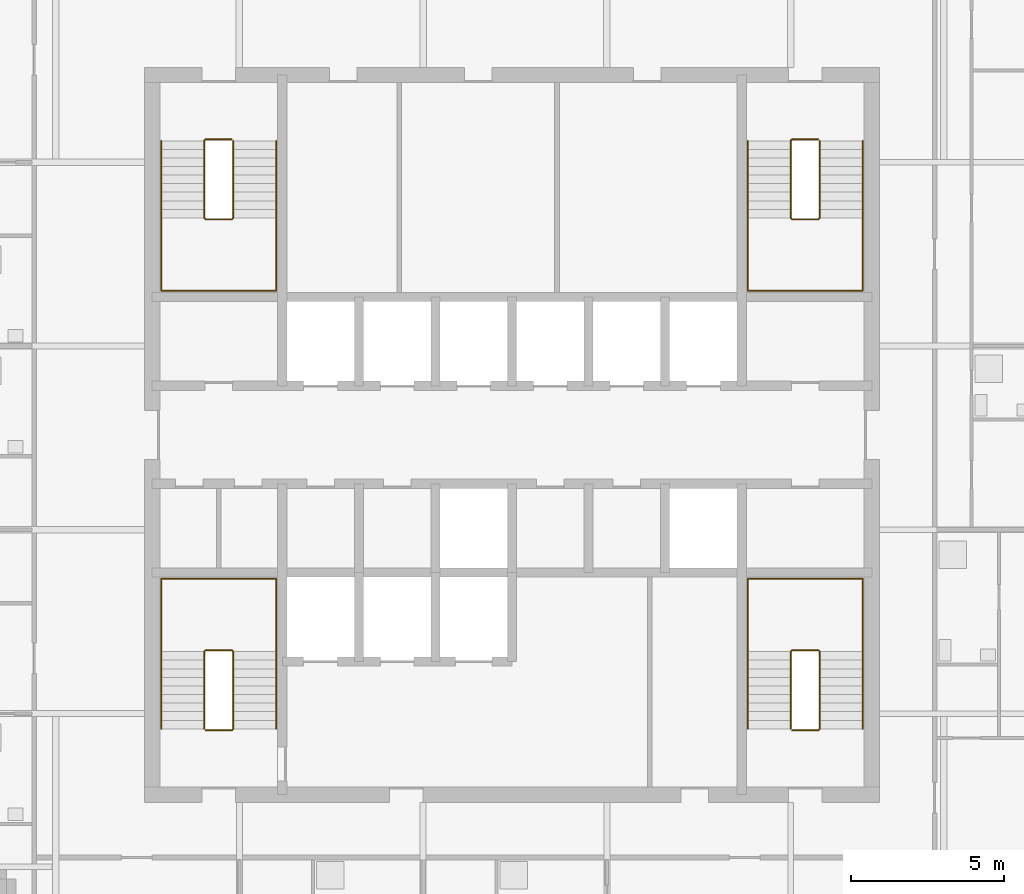
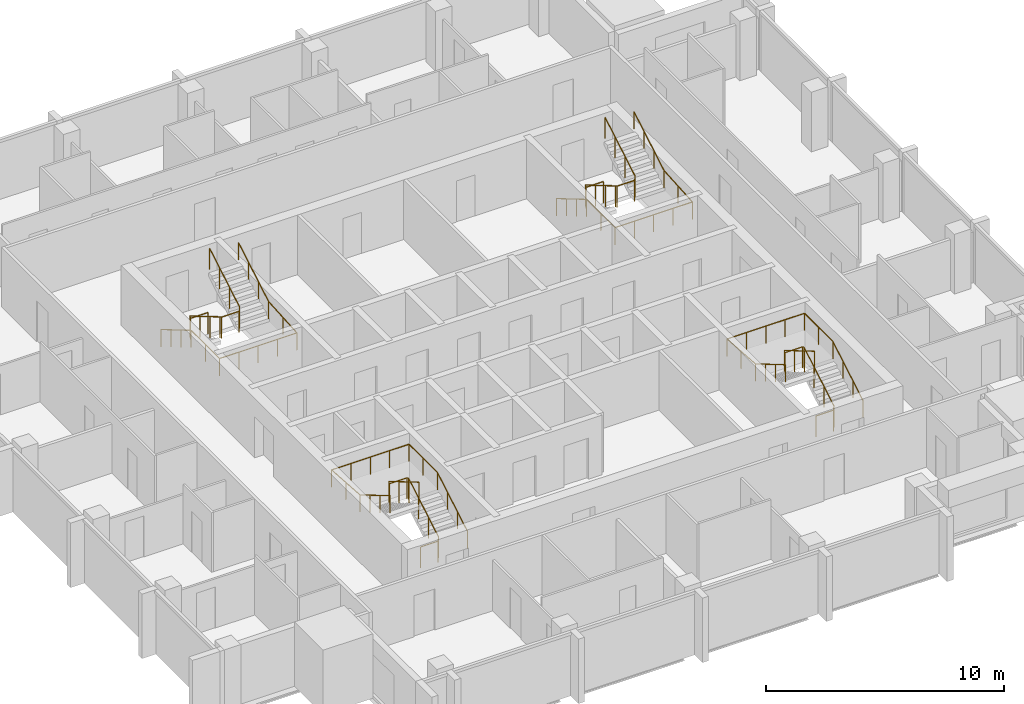
# One storey, part 8 of 9: 8 railings.
"""IFC4 building model written with IfcOpenShell, lengths in metres."""

from ifc_helpers import new_model, si_unit, direction, frame, origin, origin_2d, place, context, subcontext, project, spatial, circle, extrude, material, type_object, element, save


model = new_model("IFC4")

# Units and contexts
model_context = context("Model", 3, precision=1e-05, world=origin(), true_north=direction((0.0, 1.0)))
body_context = subcontext(model_context, "Body", "Model", "MODEL_VIEW")
ifc_project = project(units=[si_unit("LENGTHUNIT", "METRE"), si_unit("AREAUNIT", "SQUARE_METRE"), si_unit("VOLUMEUNIT", "CUBIC_METRE"), si_unit("PLANEANGLEUNIT", "RADIAN"), si_unit("MASSUNIT", "GRAM", prefix="KILO")], contexts=[model_context])

# Site, building, storey
site_placement = place(None, origin())
site = spatial("IfcSite", under=ifc_project, at=site_placement, CompositionType="ELEMENT")
building_placement = place(site_placement, origin())
building = spatial("IfcBuilding", under=site, at=building_placement, Name="Amberfall Residences", CompositionType="ELEMENT")
storey_placement = place(building_placement, frame((0.0, 0.0, 255.39990234375)))
storey = spatial("IfcBuildingStorey", under=building, at=storey_placement, Name="L68", CompositionType="ELEMENT", Elevation=255.39990234375)

# Railings
ifc_material = material(Name="Stainless steel 316", Category="steel")
railing_type_1 = type_object("IfcRailingType", Name="Stair guard 1100", PredefinedType="GUARDRAIL", material=ifc_material)
railing_1_placement = place(storey_placement, frame((64.5, 35.85009765625, 0.0)))
element("IfcRailing", 1, at=railing_1_placement, inside=storey, type_object=railing_type_1, Name="L68 stair 1 guard", PredefinedType="GUARDRAIL", context=body_context, shape_type="SweptSolid", body=[
    extrude(circle(Radius=0.02392578125, at=origin_2d()), frame((0.0, 0.0, 1.076171875), z_axis=(1.0, 0.0, 0.0), x_axis=(0.0, 1.0, 0.0)), (0.0, 0.0, 1.0), 0.85009765625),
    extrude(circle(Radius=0.02392578125, at=origin_2d()), frame((0.85009765625, 0.0, 1.076171875), z_axis=(0.27755538755, 0.27755538755, 0.919742362667), x_axis=(-0.707106781187, 0.707106781187, 0.0)), (0.0, 0.0, 1.0), 0.179443359375),
    extrude(circle(Radius=0.02392578125, at=origin_2d()), frame((0.89990234375, 0.0498046875, 1.2412109375), z_axis=(0.0, 0.86152411907, 0.507716645641), x_axis=(-1.0, 0.0, 0.0)), (0.0, 0.0, 1.0), 2.925048828125),
    extrude(circle(Radius=0.02392578125, at=origin_2d()), frame((0.89990234375, 2.56982421875, 2.72607421875), z_axis=(-0.705375805398, 0.708833529934, 0.0), x_axis=(-0.708833529934, -0.705375805398, 0.0)), (0.0, 0.0, 1.0), 0.070556640625),
    extrude(circle(Radius=0.02392578125, at=origin_2d()), frame((0.85009765625, 2.619873046875, 2.72607421875), z_axis=(-1.0, 0.0, 0.0), x_axis=(0.0, -1.0, 0.0)), (0.0, 0.0, 1.0), 0.85009765625),
    extrude(circle(Radius=0.02392578125, at=origin_2d()), frame((0.0, 2.619873046875, 2.72607421875), z_axis=(-0.278705021027, -0.278705021027, 0.919046801044), x_axis=(0.707106781187, -0.707106781187, 0.0)), (0.0, 0.0, 1.0), 0.1796875),
    extrude(circle(Radius=0.02392578125, at=origin_2d()), frame((-0.050048828125, 2.56982421875, 2.89111328125), z_axis=(0.0, -0.861560626758, 0.507654692109), x_axis=(1.0, 0.0, 0.0)), (0.0, 0.0, 1.0), 2.925048828125),
    extrude(circle(Radius=0.02099609375, at=origin_2d()), origin(), (0.0, 0.0, 1.0), 1.052001953125),
    extrude(circle(Radius=0.02099609375, at=origin_2d()), frame((0.85009765625, 0.0, 0.0)), (0.0, 0.0, 1.0), 1.052001953125),
    extrude(circle(Radius=0.02099609375, at=origin_2d()), frame((0.89990234375, 0.0498046875, 0.1650390625)), (0.0, 0.0, 1.0), 1.052001953125),
    extrude(circle(Radius=0.02099609375, at=origin_2d()), frame((0.89990234375, 0.889892578125, 0.66015625)), (0.0, 0.0, 1.0), 1.052001953125),
    extrude(circle(Radius=0.02099609375, at=origin_2d()), frame((0.89990234375, 1.729736328125, 1.155029296875)), (0.0, 0.0, 1.0), 1.052001953125),
    extrude(circle(Radius=0.02099609375, at=origin_2d()), frame((0.89990234375, 2.56982421875, 1.650146484375)), (0.0, 0.0, 1.0), 1.052001953125),
    extrude(circle(Radius=0.02099609375, at=origin_2d()), frame((0.85009765625, 2.619873046875, 1.650146484375)), (0.0, 0.0, 1.0), 1.052001953125),
    extrude(circle(Radius=0.02099609375, at=origin_2d()), frame((0.0, 2.619873046875, 1.650146484375)), (0.0, 0.0, 1.0), 1.052001953125),
    extrude(circle(Radius=0.02099609375, at=origin_2d()), frame((-0.050048828125, 2.56982421875, 1.815185546875)), (0.0, 0.0, 1.0), 1.052001953125),
    extrude(circle(Radius=0.02099609375, at=origin_2d()), frame((-0.050048828125, 1.729736328125, 2.31005859375)), (0.0, 0.0, 1.0), 1.052001953125),
    extrude(circle(Radius=0.02099609375, at=origin_2d()), frame((-0.050048828125, 0.889892578125, 2.80517578125)), (0.0, 0.0, 1.0), 1.052001953125),
    extrude(circle(Radius=0.02099609375, at=origin_2d()), frame((-0.050048828125, 0.0498046875, 3.300048828125)), (0.0, 0.0, 1.0), 1.052001953125),
])
railing_2_placement = place(storey_placement, frame((83.64990234375, 35.85009765625, 0.0)))
element("IfcRailing", 2, at=railing_2_placement, inside=storey, type_object=railing_type_1, Name="L68 stair 2 guard", PredefinedType="GUARDRAIL", context=body_context, shape_type="SweptSolid", body=[
    extrude(circle(Radius=0.02392578125, at=origin_2d()), frame((0.0, 0.0, 1.076171875), z_axis=(1.0, 0.0, 0.0), x_axis=(0.0, 1.0, 0.0)), (0.0, 0.0, 1.0), 0.85009765625),
    extrude(circle(Radius=0.02392578125, at=origin_2d()), frame((0.85009765625, 0.0, 1.076171875), z_axis=(0.278810427259, 0.277450376394, 0.919394384522), x_axis=(-0.705375805398, 0.708833529934, 0.0)), (0.0, 0.0, 1.0), 0.179443359375),
    extrude(circle(Radius=0.02392578125, at=origin_2d()), frame((0.900146484375, 0.0498046875, 1.2412109375), z_axis=(0.0, 0.86152411907, 0.507716645641), x_axis=(-1.0, 0.0, 0.0)), (0.0, 0.0, 1.0), 2.925048828125),
    extrude(circle(Radius=0.02392578125, at=origin_2d()), frame((0.900146484375, 2.56982421875, 2.72607421875), z_axis=(-0.707106781187, 0.707106781187, 0.0), x_axis=(-0.707106781187, -0.707106781187, 0.0)), (0.0, 0.0, 1.0), 0.07080078125),
    extrude(circle(Radius=0.02392578125, at=origin_2d()), frame((0.85009765625, 2.619873046875, 2.72607421875), z_axis=(-1.0, 0.0, 0.0), x_axis=(0.0, -1.0, 0.0)), (0.0, 0.0, 1.0), 0.85009765625),
    extrude(circle(Radius=0.02392578125, at=origin_2d()), frame((0.0, 2.619873046875, 2.72607421875), z_axis=(-0.277450376394, -0.278810427259, 0.919394384522), x_axis=(0.708833529934, -0.705375805398, 0.0)), (0.0, 0.0, 1.0), 0.179443359375),
    extrude(circle(Radius=0.02392578125, at=origin_2d()), frame((-0.0498046875, 2.56982421875, 2.89111328125), z_axis=(0.0, -0.861560626758, 0.507654692109), x_axis=(1.0, 0.0, 0.0)), (0.0, 0.0, 1.0), 2.925048828125),
    extrude(circle(Radius=0.02099609375, at=origin_2d()), origin(), (0.0, 0.0, 1.0), 1.052001953125),
    extrude(circle(Radius=0.02099609375, at=origin_2d()), frame((0.85009765625, 0.0, 0.0)), (0.0, 0.0, 1.0), 1.052001953125),
    extrude(circle(Radius=0.02099609375, at=origin_2d()), frame((0.900146484375, 0.0498046875, 0.1650390625)), (0.0, 0.0, 1.0), 1.052001953125),
    extrude(circle(Radius=0.02099609375, at=origin_2d()), frame((0.900146484375, 0.889892578125, 0.66015625)), (0.0, 0.0, 1.0), 1.052001953125),
    extrude(circle(Radius=0.02099609375, at=origin_2d()), frame((0.900146484375, 1.729736328125, 1.155029296875)), (0.0, 0.0, 1.0), 1.052001953125),
    extrude(circle(Radius=0.02099609375, at=origin_2d()), frame((0.900146484375, 2.56982421875, 1.650146484375)), (0.0, 0.0, 1.0), 1.052001953125),
    extrude(circle(Radius=0.02099609375, at=origin_2d()), frame((0.85009765625, 2.619873046875, 1.650146484375)), (0.0, 0.0, 1.0), 1.052001953125),
    extrude(circle(Radius=0.02099609375, at=origin_2d()), frame((0.0, 2.619873046875, 1.650146484375)), (0.0, 0.0, 1.0), 1.052001953125),
    extrude(circle(Radius=0.02099609375, at=origin_2d()), frame((-0.0498046875, 2.56982421875, 1.815185546875)), (0.0, 0.0, 1.0), 1.052001953125),
    extrude(circle(Radius=0.02099609375, at=origin_2d()), frame((-0.0498046875, 1.729736328125, 2.31005859375)), (0.0, 0.0, 1.0), 1.052001953125),
    extrude(circle(Radius=0.02099609375, at=origin_2d()), frame((-0.0498046875, 0.889892578125, 2.80517578125)), (0.0, 0.0, 1.0), 1.052001953125),
    extrude(circle(Radius=0.02099609375, at=origin_2d()), frame((-0.0498046875, 0.0498046875, 3.300048828125)), (0.0, 0.0, 1.0), 1.052001953125),
])
railing_3_placement = place(storey_placement, frame((84.5, 55.14990234375, 0.0)))
element("IfcRailing", 3, at=railing_3_placement, inside=storey, type_object=railing_type_1, Name="L68 stair 3 guard", PredefinedType="GUARDRAIL", context=body_context, shape_type="SweptSolid", body=[
    extrude(circle(Radius=0.02392578125, at=origin_2d()), frame((0.0, 0.0, 1.076171875), z_axis=(-1.0, 0.0, 0.0), x_axis=(0.0, -1.0, 0.0)), (0.0, 0.0, 1.0), 0.85009765625),
    extrude(circle(Radius=0.02392578125, at=origin_2d()), frame((-0.85009765625, 0.0, 1.076171875), z_axis=(-0.27755538755, -0.27755538755, 0.919742362667), x_axis=(0.707106781187, -0.707106781187, 0.0)), (0.0, 0.0, 1.0), 0.179443359375),
    extrude(circle(Radius=0.02392578125, at=origin_2d()), frame((-0.89990234375, -0.0498046875, 1.2412109375), z_axis=(0.0, -0.86152411907, 0.507716645641), x_axis=(1.0, 0.0, 0.0)), (0.0, 0.0, 1.0), 2.925048828125),
    extrude(circle(Radius=0.02392578125, at=origin_2d()), frame((-0.89990234375, -2.56982421875, 2.72607421875), z_axis=(0.705375805398, -0.708833529934, 0.0), x_axis=(0.708833529934, 0.705375805398, 0.0)), (0.0, 0.0, 1.0), 0.070556640625),
    extrude(circle(Radius=0.02392578125, at=origin_2d()), frame((-0.85009765625, -2.619873046875, 2.72607421875), z_axis=(1.0, 0.0, 0.0), x_axis=(0.0, 1.0, 0.0)), (0.0, 0.0, 1.0), 0.85009765625),
    extrude(circle(Radius=0.02392578125, at=origin_2d()), frame((0.0, -2.619873046875, 2.72607421875), z_axis=(0.278705021027, 0.278705021027, 0.919046801044), x_axis=(-0.707106781187, 0.707106781187, 0.0)), (0.0, 0.0, 1.0), 0.1796875),
    extrude(circle(Radius=0.02392578125, at=origin_2d()), frame((0.050048828125, -2.56982421875, 2.89111328125), z_axis=(0.0, 0.861560626758, 0.507654692109), x_axis=(-1.0, 0.0, 0.0)), (0.0, 0.0, 1.0), 2.925048828125),
    extrude(circle(Radius=0.02099609375, at=origin_2d()), origin(), (0.0, 0.0, 1.0), 1.052001953125),
    extrude(circle(Radius=0.02099609375, at=origin_2d()), frame((-0.85009765625, 0.0, 0.0)), (0.0, 0.0, 1.0), 1.052001953125),
    extrude(circle(Radius=0.02099609375, at=origin_2d()), frame((-0.89990234375, -0.0498046875, 0.1650390625)), (0.0, 0.0, 1.0), 1.052001953125),
    extrude(circle(Radius=0.02099609375, at=origin_2d()), frame((-0.89990234375, -0.889892578125, 0.66015625)), (0.0, 0.0, 1.0), 1.052001953125),
    extrude(circle(Radius=0.02099609375, at=origin_2d()), frame((-0.89990234375, -1.729736328125, 1.155029296875)), (0.0, 0.0, 1.0), 1.052001953125),
    extrude(circle(Radius=0.02099609375, at=origin_2d()), frame((-0.89990234375, -2.56982421875, 1.650146484375)), (0.0, 0.0, 1.0), 1.052001953125),
    extrude(circle(Radius=0.02099609375, at=origin_2d()), frame((-0.85009765625, -2.619873046875, 1.650146484375)), (0.0, 0.0, 1.0), 1.052001953125),
    extrude(circle(Radius=0.02099609375, at=origin_2d()), frame((0.0, -2.619873046875, 1.650146484375)), (0.0, 0.0, 1.0), 1.052001953125),
    extrude(circle(Radius=0.02099609375, at=origin_2d()), frame((0.050048828125, -2.56982421875, 1.815185546875)), (0.0, 0.0, 1.0), 1.052001953125),
    extrude(circle(Radius=0.02099609375, at=origin_2d()), frame((0.050048828125, -1.729736328125, 2.31005859375)), (0.0, 0.0, 1.0), 1.052001953125),
    extrude(circle(Radius=0.02099609375, at=origin_2d()), frame((0.050048828125, -0.889892578125, 2.80517578125)), (0.0, 0.0, 1.0), 1.052001953125),
    extrude(circle(Radius=0.02099609375, at=origin_2d()), frame((0.050048828125, -0.0498046875, 3.300048828125)), (0.0, 0.0, 1.0), 1.052001953125),
])
railing_4_placement = place(storey_placement, frame((65.35009765625, 55.14990234375, 0.0)))
element("IfcRailing", 4, at=railing_4_placement, inside=storey, type_object=railing_type_1, Name="L68 stair 4 guard", PredefinedType="GUARDRAIL", context=body_context, shape_type="SweptSolid", body=[
    extrude(circle(Radius=0.02392578125, at=origin_2d()), frame((0.0, 0.0, 1.076171875), z_axis=(-1.0, 0.0, 0.0), x_axis=(0.0, -1.0, 0.0)), (0.0, 0.0, 1.0), 0.85009765625),
    extrude(circle(Radius=0.02392578125, at=origin_2d()), frame((-0.85009765625, 0.0, 1.076171875), z_axis=(-0.278810427259, -0.277450376394, 0.919394384522), x_axis=(0.705375805398, -0.708833529934, 0.0)), (0.0, 0.0, 1.0), 0.179443359375),
    extrude(circle(Radius=0.02392578125, at=origin_2d()), frame((-0.900146484375, -0.0498046875, 1.2412109375), z_axis=(0.0, -0.86152411907, 0.507716645641), x_axis=(1.0, 0.0, 0.0)), (0.0, 0.0, 1.0), 2.925048828125),
    extrude(circle(Radius=0.02392578125, at=origin_2d()), frame((-0.900146484375, -2.56982421875, 2.72607421875), z_axis=(0.707106781187, -0.707106781187, 0.0), x_axis=(0.707106781187, 0.707106781187, 0.0)), (0.0, 0.0, 1.0), 0.07080078125),
    extrude(circle(Radius=0.02392578125, at=origin_2d()), frame((-0.85009765625, -2.619873046875, 2.72607421875), z_axis=(1.0, 0.0, 0.0), x_axis=(0.0, 1.0, 0.0)), (0.0, 0.0, 1.0), 0.85009765625),
    extrude(circle(Radius=0.02392578125, at=origin_2d()), frame((0.0, -2.619873046875, 2.72607421875), z_axis=(0.277450376394, 0.278810427259, 0.919394384522), x_axis=(-0.708833529934, 0.705375805398, 0.0)), (0.0, 0.0, 1.0), 0.179443359375),
    extrude(circle(Radius=0.02392578125, at=origin_2d()), frame((0.0498046875, -2.56982421875, 2.89111328125), z_axis=(0.0, 0.861560626758, 0.507654692109), x_axis=(-1.0, 0.0, 0.0)), (0.0, 0.0, 1.0), 2.925048828125),
    extrude(circle(Radius=0.02099609375, at=origin_2d()), origin(), (0.0, 0.0, 1.0), 1.052001953125),
    extrude(circle(Radius=0.02099609375, at=origin_2d()), frame((-0.85009765625, 0.0, 0.0)), (0.0, 0.0, 1.0), 1.052001953125),
    extrude(circle(Radius=0.02099609375, at=origin_2d()), frame((-0.900146484375, -0.0498046875, 0.1650390625)), (0.0, 0.0, 1.0), 1.052001953125),
    extrude(circle(Radius=0.02099609375, at=origin_2d()), frame((-0.900146484375, -0.889892578125, 0.66015625)), (0.0, 0.0, 1.0), 1.052001953125),
    extrude(circle(Radius=0.02099609375, at=origin_2d()), frame((-0.900146484375, -1.729736328125, 1.155029296875)), (0.0, 0.0, 1.0), 1.052001953125),
    extrude(circle(Radius=0.02099609375, at=origin_2d()), frame((-0.900146484375, -2.56982421875, 1.650146484375)), (0.0, 0.0, 1.0), 1.052001953125),
    extrude(circle(Radius=0.02099609375, at=origin_2d()), frame((-0.85009765625, -2.619873046875, 1.650146484375)), (0.0, 0.0, 1.0), 1.052001953125),
    extrude(circle(Radius=0.02099609375, at=origin_2d()), frame((0.0, -2.619873046875, 1.650146484375)), (0.0, 0.0, 1.0), 1.052001953125),
    extrude(circle(Radius=0.02099609375, at=origin_2d()), frame((0.0498046875, -2.56982421875, 1.815185546875)), (0.0, 0.0, 1.0), 1.052001953125),
    extrude(circle(Radius=0.02099609375, at=origin_2d()), frame((0.0498046875, -1.729736328125, 2.31005859375)), (0.0, 0.0, 1.0), 1.052001953125),
    extrude(circle(Radius=0.02099609375, at=origin_2d()), frame((0.0498046875, -0.889892578125, 2.80517578125)), (0.0, 0.0, 1.0), 1.052001953125),
    extrude(circle(Radius=0.02099609375, at=origin_2d()), frame((0.0498046875, -0.0498046875, 3.300048828125)), (0.0, 0.0, 1.0), 1.052001953125),
])
railing_type_2 = type_object("IfcRailingType", Name="Stair handrail 900", PredefinedType="HANDRAIL", material=ifc_material)
railing_5_placement = place(storey_placement, frame((66.800048828125, 35.89990234375, 0.1650390625)))
element("IfcRailing", 5, at=railing_5_placement, inside=storey, type_object=railing_type_2, Name="L68 stair 1 handrail", PredefinedType="HANDRAIL", context=body_context, shape_type="SweptSolid", body=[
    extrude(circle(Radius=0.02392578125, at=origin_2d()), frame((0.0, 0.0, 0.8759765625), z_axis=(0.0, 0.86152411907, 0.507716645641), x_axis=(-1.0, 0.0, 0.0)), (0.0, 0.0, 1.0), 2.925048828125),
    extrude(circle(Radius=0.02392578125, at=origin_2d()), frame((0.0, 2.52001953125, 2.36083984375), z_axis=(0.0, 1.0, 0.0), x_axis=(-1.0, 0.0, 0.0)), (0.0, 0.0, 1.0), 2.380126953125),
    extrude(circle(Radius=0.02392578125, at=origin_2d()), frame((0.0, 4.900146484375, 2.36083984375), z_axis=(-1.0, 0.0, 0.0), x_axis=(0.0, -1.0, 0.0)), (0.0, 0.0, 1.0), 3.75),
    extrude(circle(Radius=0.02392578125, at=origin_2d()), frame((-3.75, 4.900146484375, 2.36083984375), z_axis=(0.0, -0.997604585917, 0.069174346095), x_axis=(1.0, 0.0, 0.0)), (0.0, 0.0, 1.0), 2.3857421875),
    extrude(circle(Radius=0.02392578125, at=origin_2d()), frame((-3.75, 2.52001953125, 2.52587890625), z_axis=(0.0, -0.861560626758, 0.507654692109), x_axis=(1.0, 0.0, 0.0)), (0.0, 0.0, 1.0), 2.925048828125),
    extrude(circle(Radius=0.02099609375, at=origin_2d()), origin(), (0.0, 0.0, 1.0), 0.851806640625),
    extrude(circle(Radius=0.02099609375, at=origin_2d()), frame((0.0, 0.840087890625, 0.4951171875)), (0.0, 0.0, 1.0), 0.851806640625),
    extrude(circle(Radius=0.02099609375, at=origin_2d()), frame((0.0, 1.679931640625, 0.989990234375)), (0.0, 0.0, 1.0), 0.851806640625),
    extrude(circle(Radius=0.02099609375, at=origin_2d()), frame((0.0, 2.52001953125, 1.485107421875)), (0.0, 0.0, 1.0), 0.851806640625),
    extrude(circle(Radius=0.02099609375, at=origin_2d()), frame((0.0, 3.7099609375, 1.485107421875)), (0.0, 0.0, 1.0), 0.851806640625),
    extrude(circle(Radius=0.02099609375, at=origin_2d()), frame((0.0, 4.900146484375, 1.485107421875)), (0.0, 0.0, 1.0), 0.851806640625),
    extrude(circle(Radius=0.02099609375, at=origin_2d()), frame((-0.9375, 4.900146484375, 1.485107421875)), (0.0, 0.0, 1.0), 0.851806640625),
    extrude(circle(Radius=0.02099609375, at=origin_2d()), frame((-1.875, 4.900146484375, 1.485107421875)), (0.0, 0.0, 1.0), 0.851806640625),
    extrude(circle(Radius=0.02099609375, at=origin_2d()), frame((-2.8125, 4.900146484375, 1.485107421875)), (0.0, 0.0, 1.0), 0.851806640625),
    extrude(circle(Radius=0.02099609375, at=origin_2d()), frame((-3.75, 4.900146484375, 1.485107421875)), (0.0, 0.0, 1.0), 0.851806640625),
    extrude(circle(Radius=0.02099609375, at=origin_2d()), frame((-3.75, 3.7099609375, 1.567626953125)), (0.0, 0.0, 1.0), 0.851806640625),
    extrude(circle(Radius=0.02099609375, at=origin_2d()), frame((-3.75, 2.52001953125, 1.650146484375)), (0.0, 0.0, 1.0), 0.851806640625),
    extrude(circle(Radius=0.02099609375, at=origin_2d()), frame((-3.75, 1.679931640625, 2.14501953125)), (0.0, 0.0, 1.0), 0.851806640625),
    extrude(circle(Radius=0.02099609375, at=origin_2d()), frame((-3.75, 0.840087890625, 2.64013671875)), (0.0, 0.0, 1.0), 0.851806640625),
    extrude(circle(Radius=0.02099609375, at=origin_2d()), frame((-3.75, 0.0, 3.135009765625)), (0.0, 0.0, 1.0), 0.851806640625),
])
railing_6_placement = place(storey_placement, frame((85.949951171875, 35.89990234375, 0.1650390625)))
element("IfcRailing", 6, at=railing_6_placement, inside=storey, type_object=railing_type_2, Name="L68 stair 2 handrail", PredefinedType="HANDRAIL", context=body_context, shape_type="SweptSolid", body=[
    extrude(circle(Radius=0.02392578125, at=origin_2d()), frame((0.0, 0.0, 0.8759765625), z_axis=(0.0, 0.86152411907, 0.507716645641), x_axis=(-1.0, 0.0, 0.0)), (0.0, 0.0, 1.0), 2.925048828125),
    extrude(circle(Radius=0.02392578125, at=origin_2d()), frame((0.0, 2.52001953125, 2.36083984375), z_axis=(0.0, 1.0, 0.0), x_axis=(-1.0, 0.0, 0.0)), (0.0, 0.0, 1.0), 2.380126953125),
    extrude(circle(Radius=0.02392578125, at=origin_2d()), frame((0.0, 4.900146484375, 2.36083984375), z_axis=(-1.0, 0.0, 0.0), x_axis=(0.0, -1.0, 0.0)), (0.0, 0.0, 1.0), 3.75),
    extrude(circle(Radius=0.02392578125, at=origin_2d()), frame((-3.75, 4.900146484375, 2.36083984375), z_axis=(0.0, -0.997604585917, 0.069174346095), x_axis=(1.0, 0.0, 0.0)), (0.0, 0.0, 1.0), 2.3857421875),
    extrude(circle(Radius=0.02392578125, at=origin_2d()), frame((-3.75, 2.52001953125, 2.52587890625), z_axis=(0.0, -0.861560626758, 0.507654692109), x_axis=(1.0, 0.0, 0.0)), (0.0, 0.0, 1.0), 2.925048828125),
    extrude(circle(Radius=0.02099609375, at=origin_2d()), origin(), (0.0, 0.0, 1.0), 0.851806640625),
    extrude(circle(Radius=0.02099609375, at=origin_2d()), frame((0.0, 0.840087890625, 0.4951171875)), (0.0, 0.0, 1.0), 0.851806640625),
    extrude(circle(Radius=0.02099609375, at=origin_2d()), frame((0.0, 1.679931640625, 0.989990234375)), (0.0, 0.0, 1.0), 0.851806640625),
    extrude(circle(Radius=0.02099609375, at=origin_2d()), frame((0.0, 2.52001953125, 1.485107421875)), (0.0, 0.0, 1.0), 0.851806640625),
    extrude(circle(Radius=0.02099609375, at=origin_2d()), frame((0.0, 3.7099609375, 1.485107421875)), (0.0, 0.0, 1.0), 0.851806640625),
    extrude(circle(Radius=0.02099609375, at=origin_2d()), frame((0.0, 4.900146484375, 1.485107421875)), (0.0, 0.0, 1.0), 0.851806640625),
    extrude(circle(Radius=0.02099609375, at=origin_2d()), frame((-0.9375, 4.900146484375, 1.485107421875)), (0.0, 0.0, 1.0), 0.851806640625),
    extrude(circle(Radius=0.02099609375, at=origin_2d()), frame((-1.875, 4.900146484375, 1.485107421875)), (0.0, 0.0, 1.0), 0.851806640625),
    extrude(circle(Radius=0.02099609375, at=origin_2d()), frame((-2.8125, 4.900146484375, 1.485107421875)), (0.0, 0.0, 1.0), 0.851806640625),
    extrude(circle(Radius=0.02099609375, at=origin_2d()), frame((-3.75, 4.900146484375, 1.485107421875)), (0.0, 0.0, 1.0), 0.851806640625),
    extrude(circle(Radius=0.02099609375, at=origin_2d()), frame((-3.75, 3.7099609375, 1.567626953125)), (0.0, 0.0, 1.0), 0.851806640625),
    extrude(circle(Radius=0.02099609375, at=origin_2d()), frame((-3.75, 2.52001953125, 1.650146484375)), (0.0, 0.0, 1.0), 0.851806640625),
    extrude(circle(Radius=0.02099609375, at=origin_2d()), frame((-3.75, 1.679931640625, 2.14501953125)), (0.0, 0.0, 1.0), 0.851806640625),
    extrude(circle(Radius=0.02099609375, at=origin_2d()), frame((-3.75, 0.840087890625, 2.64013671875)), (0.0, 0.0, 1.0), 0.851806640625),
    extrude(circle(Radius=0.02099609375, at=origin_2d()), frame((-3.75, 0.0, 3.135009765625)), (0.0, 0.0, 1.0), 0.851806640625),
])
railing_7_placement = place(storey_placement, frame((82.199951171875, 55.10009765625, 0.1650390625)))
element("IfcRailing", 7, at=railing_7_placement, inside=storey, type_object=railing_type_2, Name="L68 stair 3 handrail", PredefinedType="HANDRAIL", context=body_context, shape_type="SweptSolid", body=[
    extrude(circle(Radius=0.02392578125, at=origin_2d()), frame((0.0, 0.0, 0.8759765625), z_axis=(0.0, -0.86152411907, 0.507716645641), x_axis=(1.0, 0.0, 0.0)), (0.0, 0.0, 1.0), 2.925048828125),
    extrude(circle(Radius=0.02392578125, at=origin_2d()), frame((0.0, -2.52001953125, 2.36083984375), z_axis=(0.0, -1.0, 0.0), x_axis=(1.0, 0.0, 0.0)), (0.0, 0.0, 1.0), 2.380126953125),
    extrude(circle(Radius=0.02392578125, at=origin_2d()), frame((0.0, -4.900146484375, 2.36083984375), z_axis=(1.0, 0.0, 0.0), x_axis=(0.0, 1.0, 0.0)), (0.0, 0.0, 1.0), 3.75),
    extrude(circle(Radius=0.02392578125, at=origin_2d()), frame((3.75, -4.900146484375, 2.36083984375), z_axis=(0.0, 0.997604585917, 0.069174346095), x_axis=(-1.0, 0.0, 0.0)), (0.0, 0.0, 1.0), 2.3857421875),
    extrude(circle(Radius=0.02392578125, at=origin_2d()), frame((3.75, -2.52001953125, 2.52587890625), z_axis=(0.0, 0.861560626758, 0.507654692109), x_axis=(-1.0, 0.0, 0.0)), (0.0, 0.0, 1.0), 2.925048828125),
    extrude(circle(Radius=0.02099609375, at=origin_2d()), origin(), (0.0, 0.0, 1.0), 0.851806640625),
    extrude(circle(Radius=0.02099609375, at=origin_2d()), frame((0.0, -0.840087890625, 0.4951171875)), (0.0, 0.0, 1.0), 0.851806640625),
    extrude(circle(Radius=0.02099609375, at=origin_2d()), frame((0.0, -1.679931640625, 0.989990234375)), (0.0, 0.0, 1.0), 0.851806640625),
    extrude(circle(Radius=0.02099609375, at=origin_2d()), frame((0.0, -2.52001953125, 1.485107421875)), (0.0, 0.0, 1.0), 0.851806640625),
    extrude(circle(Radius=0.02099609375, at=origin_2d()), frame((0.0, -3.7099609375, 1.485107421875)), (0.0, 0.0, 1.0), 0.851806640625),
    extrude(circle(Radius=0.02099609375, at=origin_2d()), frame((0.0, -4.900146484375, 1.485107421875)), (0.0, 0.0, 1.0), 0.851806640625),
    extrude(circle(Radius=0.02099609375, at=origin_2d()), frame((0.9375, -4.900146484375, 1.485107421875)), (0.0, 0.0, 1.0), 0.851806640625),
    extrude(circle(Radius=0.02099609375, at=origin_2d()), frame((1.875, -4.900146484375, 1.485107421875)), (0.0, 0.0, 1.0), 0.851806640625),
    extrude(circle(Radius=0.02099609375, at=origin_2d()), frame((2.8125, -4.900146484375, 1.485107421875)), (0.0, 0.0, 1.0), 0.851806640625),
    extrude(circle(Radius=0.02099609375, at=origin_2d()), frame((3.75, -4.900146484375, 1.485107421875)), (0.0, 0.0, 1.0), 0.851806640625),
    extrude(circle(Radius=0.02099609375, at=origin_2d()), frame((3.75, -3.7099609375, 1.567626953125)), (0.0, 0.0, 1.0), 0.851806640625),
    extrude(circle(Radius=0.02099609375, at=origin_2d()), frame((3.75, -2.52001953125, 1.650146484375)), (0.0, 0.0, 1.0), 0.851806640625),
    extrude(circle(Radius=0.02099609375, at=origin_2d()), frame((3.75, -1.679931640625, 2.14501953125)), (0.0, 0.0, 1.0), 0.851806640625),
    extrude(circle(Radius=0.02099609375, at=origin_2d()), frame((3.75, -0.840087890625, 2.64013671875)), (0.0, 0.0, 1.0), 0.851806640625),
    extrude(circle(Radius=0.02099609375, at=origin_2d()), frame((3.75, 0.0, 3.135009765625)), (0.0, 0.0, 1.0), 0.851806640625),
])
railing_8_placement = place(storey_placement, frame((63.050048828125, 55.10009765625, 0.1650390625)))
element("IfcRailing", 8, at=railing_8_placement, inside=storey, type_object=railing_type_2, Name="L68 stair 4 handrail", PredefinedType="HANDRAIL", context=body_context, shape_type="SweptSolid", body=[
    extrude(circle(Radius=0.02392578125, at=origin_2d()), frame((0.0, 0.0, 0.8759765625), z_axis=(0.0, -0.86152411907, 0.507716645641), x_axis=(1.0, 0.0, 0.0)), (0.0, 0.0, 1.0), 2.925048828125),
    extrude(circle(Radius=0.02392578125, at=origin_2d()), frame((0.0, -2.52001953125, 2.36083984375), z_axis=(0.0, -1.0, 0.0), x_axis=(1.0, 0.0, 0.0)), (0.0, 0.0, 1.0), 2.380126953125),
    extrude(circle(Radius=0.02392578125, at=origin_2d()), frame((0.0, -4.900146484375, 2.36083984375), z_axis=(1.0, 0.0, 0.0), x_axis=(0.0, 1.0, 0.0)), (0.0, 0.0, 1.0), 3.75),
    extrude(circle(Radius=0.02392578125, at=origin_2d()), frame((3.75, -4.900146484375, 2.36083984375), z_axis=(0.0, 0.997604585917, 0.069174346095), x_axis=(-1.0, 0.0, 0.0)), (0.0, 0.0, 1.0), 2.3857421875),
    extrude(circle(Radius=0.02392578125, at=origin_2d()), frame((3.75, -2.52001953125, 2.52587890625), z_axis=(0.0, 0.861560626758, 0.507654692109), x_axis=(-1.0, 0.0, 0.0)), (0.0, 0.0, 1.0), 2.925048828125),
    extrude(circle(Radius=0.02099609375, at=origin_2d()), origin(), (0.0, 0.0, 1.0), 0.851806640625),
    extrude(circle(Radius=0.02099609375, at=origin_2d()), frame((0.0, -0.840087890625, 0.4951171875)), (0.0, 0.0, 1.0), 0.851806640625),
    extrude(circle(Radius=0.02099609375, at=origin_2d()), frame((0.0, -1.679931640625, 0.989990234375)), (0.0, 0.0, 1.0), 0.851806640625),
    extrude(circle(Radius=0.02099609375, at=origin_2d()), frame((0.0, -2.52001953125, 1.485107421875)), (0.0, 0.0, 1.0), 0.851806640625),
    extrude(circle(Radius=0.02099609375, at=origin_2d()), frame((0.0, -3.7099609375, 1.485107421875)), (0.0, 0.0, 1.0), 0.851806640625),
    extrude(circle(Radius=0.02099609375, at=origin_2d()), frame((0.0, -4.900146484375, 1.485107421875)), (0.0, 0.0, 1.0), 0.851806640625),
    extrude(circle(Radius=0.02099609375, at=origin_2d()), frame((0.9375, -4.900146484375, 1.485107421875)), (0.0, 0.0, 1.0), 0.851806640625),
    extrude(circle(Radius=0.02099609375, at=origin_2d()), frame((1.875, -4.900146484375, 1.485107421875)), (0.0, 0.0, 1.0), 0.851806640625),
    extrude(circle(Radius=0.02099609375, at=origin_2d()), frame((2.8125, -4.900146484375, 1.485107421875)), (0.0, 0.0, 1.0), 0.851806640625),
    extrude(circle(Radius=0.02099609375, at=origin_2d()), frame((3.75, -4.900146484375, 1.485107421875)), (0.0, 0.0, 1.0), 0.851806640625),
    extrude(circle(Radius=0.02099609375, at=origin_2d()), frame((3.75, -3.7099609375, 1.567626953125)), (0.0, 0.0, 1.0), 0.851806640625),
    extrude(circle(Radius=0.02099609375, at=origin_2d()), frame((3.75, -2.52001953125, 1.650146484375)), (0.0, 0.0, 1.0), 0.851806640625),
    extrude(circle(Radius=0.02099609375, at=origin_2d()), frame((3.75, -1.679931640625, 2.14501953125)), (0.0, 0.0, 1.0), 0.851806640625),
    extrude(circle(Radius=0.02099609375, at=origin_2d()), frame((3.75, -0.840087890625, 2.64013671875)), (0.0, 0.0, 1.0), 0.851806640625),
    extrude(circle(Radius=0.02099609375, at=origin_2d()), frame((3.75, 0.0, 3.135009765625)), (0.0, 0.0, 1.0), 0.851806640625),
])

save(model, "model.ifc")
